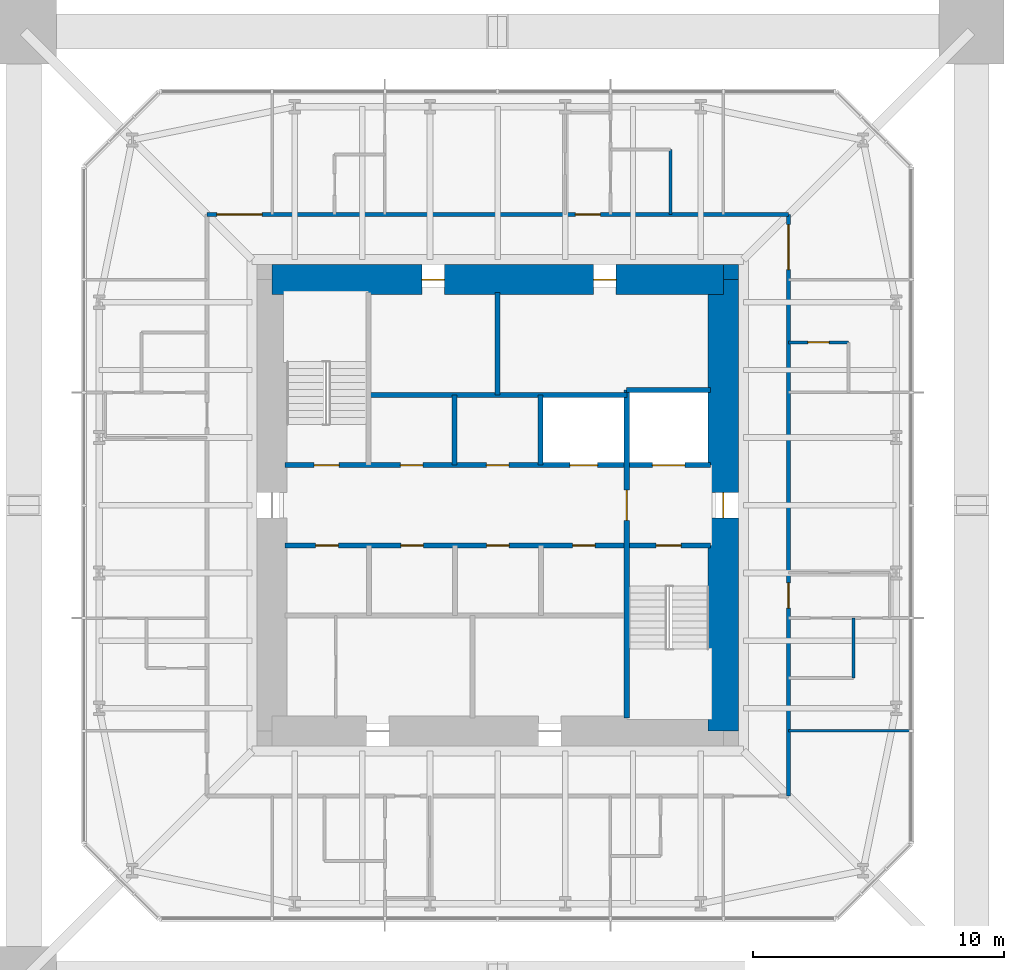
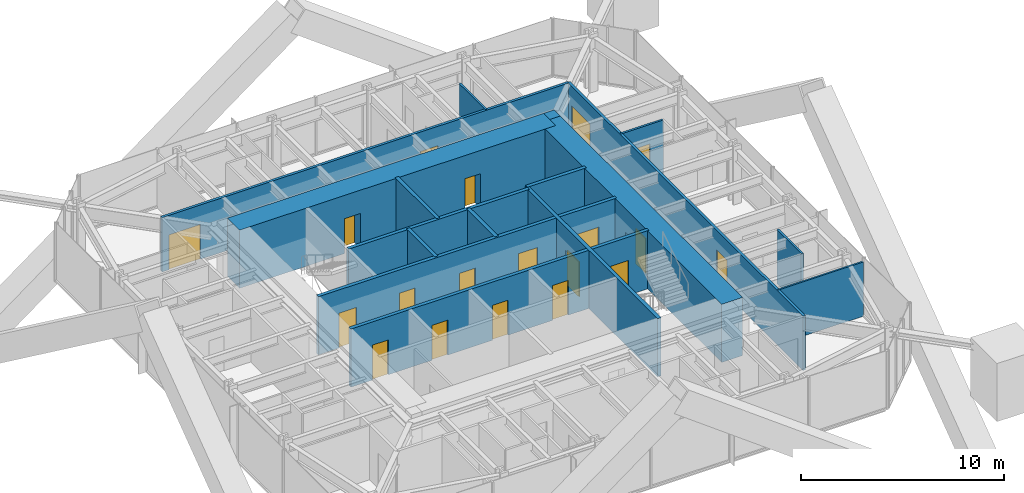
# One storey, part 8 of 10: 19 doors, 17 walls, 19 openings.
"""IFC4 building model written with IfcOpenShell, lengths in metres."""

from ifc_helpers import new_model, si_unit, direction, frame, frame_2d, origin, place, context, subcontext, project, spatial, rectangle, extrude, material, layer, layer_set, type_object, element, fill, save


model = new_model("IFC4")

# Units and contexts
model_context = context("Model", 3, precision=1e-05, world=origin(), true_north=direction((0.0, 1.0)))
body_context = subcontext(model_context, "Body", "Model", "MODEL_VIEW")
ifc_project = project(units=[si_unit("LENGTHUNIT", "METRE"), si_unit("AREAUNIT", "SQUARE_METRE"), si_unit("VOLUMEUNIT", "CUBIC_METRE"), si_unit("PLANEANGLEUNIT", "RADIAN"), si_unit("MASSUNIT", "GRAM", prefix="KILO")], contexts=[model_context])

# Site, building, storey
site_placement = place(None, origin())
site = spatial("IfcSite", under=ifc_project, at=site_placement, CompositionType="ELEMENT")
building_placement = place(site_placement, origin())
building = spatial("IfcBuilding", under=site, at=building_placement, Name="Iwan Alto Co-Living Towers", CompositionType="ELEMENT")
storey_placement = place(building_placement, frame((0.0, 0.0, 246.5)))
storey = spatial("IfcBuildingStorey", under=building, at=storey_placement, Name="L67", CompositionType="ELEMENT", Elevation=246.5)

# Wall, openings, doors
ifc_material_1 = material(Name="Gypsum board")
ifc_layer_1 = layer(ifc_material_1, 0.02490234375, Name="Board", Category="Finish")
ifc_material_2 = material(Name="Steel ASTM A1003 ST33H cold-formed studs", Category="steel")
ifc_layer_2 = layer(ifc_material_2, 0.10009765625, Name="Studs", Category="Framing")
ifc_layer_3 = layer(ifc_material_1, 0.02490234375, Name="Board", Category="Finish")
ifc_layer_set_1 = layer_set([ifc_layer_1, ifc_layer_2, ifc_layer_3], Name="CORRIDOR WALL 150")
wall_type_1 = type_object("IfcWallType", Name="CORRIDOR WALL 150", PredefinedType="PARTITIONING", material=ifc_layer_set_1)
wall_1_placement = place(storey_placement, frame((-11.60009765625, 11.60009765625, 0.0), z_axis=(0.0, 0.0, 1.0), x_axis=(1.0, 0.0, 0.0)))
wall_1 = element("IfcWall", 1, at=wall_1_placement, inside=storey, type_object=wall_type_1, Name="Partition L67", PredefinedType="PARTITIONING", context=body_context, shape_type="SweptSolid", body=[
    extrude(rectangle(XDim=23.2001953125, YDim=0.14990234375, at=frame_2d((11.60009765625, 0.0))), origin(), (0.0, 0.0, 1.0), 3.27001953125),
])
opening_1_placement = place(wall_1_placement, frame((14.699951171875, 0.0, 0.0)))
opening_1 = element("IfcOpeningElement", 2, at=opening_1_placement, cuts=wall_1, Name="Opening D3", PredefinedType="OPENING", context=body_context, shape_type="SweptSolid", body=[
    extrude(rectangle(XDim=1.0, YDim=2.10009765625, at=frame_2d((0.5, 1.050048828125))), frame((0.0, 0.0849609375, 0.0), z_axis=(0.0, -1.0, 0.0), x_axis=(1.0, 0.0, 0.0)), (0.0, 0.0, 1.0), 0.169921875),
])
opening_2_placement = place(wall_1_placement, frame((0.39990234375, 0.0, 0.0)))
opening_2 = element("IfcOpeningElement", 3, at=opening_2_placement, cuts=wall_1, Name="Opening D9", PredefinedType="OPENING", context=body_context, shape_type="SweptSolid", body=[
    extrude(rectangle(XDim=1.800048828125, YDim=2.10009765625, at=frame_2d((0.89990234375, 1.050048828125))), frame((0.0, 0.0849609375, 0.0), z_axis=(0.0, -1.0, 0.0), x_axis=(1.0, 0.0, 0.0)), (0.0, 0.0, 1.0), 0.169921875),
])
ifc_material_3 = material(Name="Steel frame with timber leaf", Category="steel")
door_type_1 = type_object("IfcDoorType", Name="FLAT ENTRANCE DOOR FD30S 1000X2100", OperationType="SINGLE_SWING_LEFT", PredefinedType="DOOR", material=ifc_material_3)
door_1_placement = place(opening_1_placement, origin())
door_1 = element("IfcDoor", 4, at=door_1_placement, inside=storey, type_object=door_type_1, Name="Apartment foyer door L67", OperationType="SINGLE_SWING_LEFT", OverallHeight=2.10009765625, OverallWidth=1.0, PredefinedType="DOOR", context=body_context, shape_type="SweptSolid", body=[
    extrude(rectangle(XDim=1.0, YDim=2.10009765625, at=frame_2d((0.5, 1.050048828125))), frame((0.0, 0.02490234375, 0.0), z_axis=(0.0, -1.0, 0.0), x_axis=(1.0, 0.0, 0.0)), (0.0, 0.0, 1.0), 0.050048828125),
])
fill(opening_1, door_1)
ifc_material_4 = material(Name="Steel frame with timber leaf", Category="steel")
door_type_2 = type_object("IfcDoorType", Name="LOUNGE DOOR FD30S 1800X2100", OperationType="DOUBLE_DOOR_SINGLE_SWING", PredefinedType="DOOR", material=ifc_material_4)
door_2_placement = place(opening_2_placement, origin())
door_2 = element("IfcDoor", 5, at=door_2_placement, inside=storey, type_object=door_type_2, Name="Courtyard lounge door L67", OperationType="DOUBLE_DOOR_SINGLE_SWING", OverallHeight=2.10009765625, OverallWidth=1.800048828125, PredefinedType="DOOR", context=body_context, shape_type="SweptSolid", body=[
    extrude(rectangle(XDim=1.800048828125, YDim=2.10009765625, at=frame_2d((0.89990234375, 1.050048828125))), frame((0.0, 0.02490234375, 0.0), z_axis=(0.0, -1.0, 0.0), x_axis=(1.0, 0.0, 0.0)), (0.0, 0.0, 1.0), 0.050048828125),
])
fill(opening_2, door_2)

wall_2_placement = place(storey_placement, frame((11.60009765625, -11.60009765625, 0.0), z_axis=(0.0, 0.0, 1.0), x_axis=(0.0, 1.0, 0.0)))
wall_2 = element("IfcWall", 6, at=wall_2_placement, inside=storey, type_object=wall_type_1, Name="Partition L67", PredefinedType="PARTITIONING", context=body_context, shape_type="SweptSolid", body=[
    extrude(rectangle(XDim=23.2001953125, YDim=0.14990234375, at=frame_2d((11.60009765625, 0.0))), origin(), (0.0, 0.0, 1.0), 3.27001953125),
])
opening_3_placement = place(wall_2_placement, frame((7.5, 0.0, 0.0)))
opening_3 = element("IfcOpeningElement", 7, at=opening_3_placement, cuts=wall_2, Name="Opening D3", PredefinedType="OPENING", context=body_context, shape_type="SweptSolid", body=[
    extrude(rectangle(XDim=1.0, YDim=2.10009765625, at=frame_2d((0.5, 1.050048828125))), frame((0.0, 0.0849609375, 0.0), z_axis=(0.0, -1.0, 0.0), x_axis=(1.0, 0.0, 0.0)), (0.0, 0.0, 1.0), 0.169921875),
])
opening_4_placement = place(wall_2_placement, frame((21.0, 0.0, 0.0)))
opening_4 = element("IfcOpeningElement", 8, at=opening_4_placement, cuts=wall_2, Name="Opening D9", PredefinedType="OPENING", context=body_context, shape_type="SweptSolid", body=[
    extrude(rectangle(XDim=1.800048828125, YDim=2.10009765625, at=frame_2d((0.89990234375, 1.050048828125))), frame((0.0, 0.0849609375, 0.0), z_axis=(0.0, -1.0, 0.0), x_axis=(1.0, 0.0, 0.0)), (0.0, 0.0, 1.0), 0.169921875),
])
door_3_placement = place(opening_3_placement, frame((1.0, 0.0, 0.0), z_axis=(0.0, 0.0, 1.0), x_axis=(-1.0, 0.0, 0.0)))
door_3 = element("IfcDoor", 9, at=door_3_placement, inside=storey, type_object=door_type_1, Name="Apartment foyer door L67", OperationType="SINGLE_SWING_RIGHT", OverallHeight=2.10009765625, OverallWidth=1.0, PredefinedType="DOOR", context=body_context, shape_type="SweptSolid", body=[
    extrude(rectangle(XDim=1.0, YDim=2.10009765625, at=frame_2d((0.5, 1.050048828125))), frame((0.0, 0.02490234375, 0.0), z_axis=(0.0, -1.0, 0.0), x_axis=(1.0, 0.0, 0.0)), (0.0, 0.0, 1.0), 0.050048828125),
])
fill(opening_3, door_3)
door_4_placement = place(opening_4_placement, frame((1.800048828125, 0.0, 0.0), z_axis=(0.0, 0.0, 1.0), x_axis=(-1.0, 0.0, 0.0)))
door_4 = element("IfcDoor", 10, at=door_4_placement, inside=storey, type_object=door_type_2, Name="Study lounge door L67", OperationType="DOUBLE_DOOR_SINGLE_SWING", OverallHeight=2.10009765625, OverallWidth=1.800048828125, PredefinedType="DOOR", context=body_context, shape_type="SweptSolid", body=[
    extrude(rectangle(XDim=1.800048828125, YDim=2.10009765625, at=frame_2d((0.89990234375, 1.050048828125))), frame((0.0, 0.02490234375, 0.0), z_axis=(0.0, -1.0, 0.0), x_axis=(1.0, 0.0, 0.0)), (0.0, 0.0, 1.0), 0.050048828125),
])
fill(opening_4, door_4)

# Wall
ifc_layer_4 = layer(ifc_material_1, 0.012451171875, Name="Board", Category="Finish")
ifc_layer_5 = layer(ifc_material_2, 0.074951171875, Name="Studs", Category="Framing")
ifc_layer_6 = layer(ifc_material_1, 0.012451171875, Name="Board", Category="Finish")
ifc_layer_set_2 = layer_set([ifc_layer_4, ifc_layer_5, ifc_layer_6], Name="PARTITION 100")
wall_type_2 = type_object("IfcWallType", Name="PARTITION 100", PredefinedType="PARTITIONING", material=ifc_layer_set_2)
wall_3_placement = place(storey_placement, frame((11.60009765625, -9.0, 0.0), z_axis=(0.0, 0.0, 1.0), x_axis=(1.0, 0.0, 0.0)))
element("IfcWall", 11, at=wall_3_placement, inside=storey, type_object=wall_type_2, Name="Partition L67", PredefinedType="PARTITIONING", context=body_context, shape_type="SweptSolid", body=[
    extrude(rectangle(XDim=4.83984375, YDim=0.10009765625, at=frame_2d((2.419921875, 0.0))), origin(), (0.0, 0.0, 1.0), 3.27001953125),
])

# Wall, openings, doors
ifc_material_5 = material(Name="Concrete f'c 70 MPa", Category="concrete")
ifc_layer_7 = layer(ifc_material_5, 0.199951171875)
ifc_layer_set_3 = layer_set([ifc_layer_7], Name="SHAFT WALL 200")
wall_type_3 = type_object("IfcWallType", Name="SHAFT WALL 200", PredefinedType="SOLIDWALL", material=ifc_layer_set_3)
wall_4_placement = place(storey_placement, frame((-8.489990234375, -1.60009765625, 0.0), z_axis=(0.0, 0.0, 1.0), x_axis=(1.0, 0.0, 0.0)))
wall_4 = element("IfcWall", 12, at=wall_4_placement, inside=storey, type_object=wall_type_3, Name="Shaft wall L67", PredefinedType="SOLIDWALL", context=body_context, shape_type="SweptSolid", body=[
    extrude(rectangle(XDim=16.97998046875, YDim=0.199951171875, at=frame_2d((8.489990234375, 0.0))), origin(), (0.0, 0.0, 1.0), 3.5),
])
opening_5_placement = place(wall_4_placement, frame((14.81005859375, 0.0, 0.0)))
opening_5 = element("IfcOpeningElement", 13, at=opening_5_placement, cuts=wall_4, Name="Opening D5", PredefinedType="OPENING", context=body_context, shape_type="SweptSolid", body=[
    extrude(rectangle(XDim=1.0, YDim=2.10009765625, at=frame_2d((0.5, 1.050048828125))), frame((0.0, 0.10986328125, 0.0), z_axis=(0.0, -1.0, 0.0), x_axis=(1.0, 0.0, 0.0)), (0.0, 0.0, 1.0), 0.219970703125),
])
opening_6_placement = place(wall_4_placement, frame((1.23193359375, 0.0, 0.0)))
opening_6 = element("IfcOpeningElement", 14, at=opening_6_placement, cuts=wall_4, Name="Opening D15", PredefinedType="OPENING", context=body_context, shape_type="SweptSolid", body=[
    extrude(rectangle(XDim=0.89990234375, YDim=2.10009765625, at=frame_2d((0.449951171875, 1.050048828125))), frame((0.0, 0.10986328125, 0.0), z_axis=(0.0, -1.0, 0.0), x_axis=(1.0, 0.0, 0.0)), (0.0, 0.0, 1.0), 0.219970703125),
])
opening_7_placement = place(wall_4_placement, frame((4.626953125, 0.0, 0.0)))
opening_7 = element("IfcOpeningElement", 15, at=opening_7_placement, cuts=wall_4, Name="Opening D15", PredefinedType="OPENING", context=body_context, shape_type="SweptSolid", body=[
    extrude(rectangle(XDim=0.89990234375, YDim=2.10009765625, at=frame_2d((0.449951171875, 1.050048828125))), frame((0.0, 0.10986328125, 0.0), z_axis=(0.0, -1.0, 0.0), x_axis=(1.0, 0.0, 0.0)), (0.0, 0.0, 1.0), 0.219970703125),
])
opening_8_placement = place(wall_4_placement, frame((8.052001953125, 0.0, 0.0)))
opening_8 = element("IfcOpeningElement", 16, at=opening_8_placement, cuts=wall_4, Name="Opening D15", PredefinedType="OPENING", context=body_context, shape_type="SweptSolid", body=[
    extrude(rectangle(XDim=0.89990234375, YDim=2.10009765625, at=frame_2d((0.449951171875, 1.050048828125))), frame((0.0, 0.10986328125, 0.0), z_axis=(0.0, -1.0, 0.0), x_axis=(1.0, 0.0, 0.0)), (0.0, 0.0, 1.0), 0.219970703125),
])
opening_9_placement = place(wall_4_placement, frame((11.47802734375, 0.0, 0.0)))
opening_9 = element("IfcOpeningElement", 17, at=opening_9_placement, cuts=wall_4, Name="Opening D15", PredefinedType="OPENING", context=body_context, shape_type="SweptSolid", body=[
    extrude(rectangle(XDim=0.89990234375, YDim=2.10009765625, at=frame_2d((0.449951171875, 1.050048828125))), frame((0.0, 0.10986328125, 0.0), z_axis=(0.0, -1.0, 0.0), x_axis=(1.0, 0.0, 0.0)), (0.0, 0.0, 1.0), 0.219970703125),
])
ifc_material_6 = material(Name="Steel frame with timber leaf", Category="steel")
door_type_3 = type_object("IfcDoorType", Name="CORE ROOM DOOR FD60S 900X2100", OperationType="SINGLE_SWING_LEFT", PredefinedType="DOOR", material=ifc_material_6)
door_5_placement = place(opening_6_placement, frame((0.89990234375, 0.0, 0.0), z_axis=(0.0, 0.0, 1.0), x_axis=(-1.0, 0.0, 0.0)))
door_5 = element("IfcDoor", 18, at=door_5_placement, inside=storey, type_object=door_type_3, Name="Housekeeping store door L67", OperationType="SINGLE_SWING_LEFT", OverallHeight=2.10009765625, OverallWidth=0.89990234375, PredefinedType="DOOR", context=body_context, shape_type="SweptSolid", body=[
    extrude(rectangle(XDim=0.89990234375, YDim=2.10009765625, at=frame_2d((0.449951171875, 1.050048828125))), frame((0.0, 0.02490234375, 0.0), z_axis=(0.0, -1.0, 0.0), x_axis=(1.0, 0.0, 0.0)), (0.0, 0.0, 1.0), 0.050048828125),
])
fill(opening_6, door_5)
door_6_placement = place(opening_7_placement, frame((0.89990234375, 0.0, 0.0), z_axis=(0.0, 0.0, 1.0), x_axis=(-1.0, 0.0, 0.0)))
door_6 = element("IfcDoor", 19, at=door_6_placement, inside=storey, type_object=door_type_3, Name="Linen store door L67", OperationType="SINGLE_SWING_RIGHT", OverallHeight=2.10009765625, OverallWidth=0.89990234375, PredefinedType="DOOR", context=body_context, shape_type="SweptSolid", body=[
    extrude(rectangle(XDim=0.89990234375, YDim=2.10009765625, at=frame_2d((0.449951171875, 1.050048828125))), frame((0.0, 0.02490234375, 0.0), z_axis=(0.0, -1.0, 0.0), x_axis=(1.0, 0.0, 0.0)), (0.0, 0.0, 1.0), 0.050048828125),
])
fill(opening_7, door_6)
door_7_placement = place(opening_8_placement, frame((0.89990234375, 0.0, 0.0), z_axis=(0.0, 0.0, 1.0), x_axis=(-1.0, 0.0, 0.0)))
door_7 = element("IfcDoor", 20, at=door_7_placement, inside=storey, type_object=door_type_3, Name="Linen and housekeeping store door L67", OperationType="SINGLE_SWING_RIGHT", OverallHeight=2.10009765625, OverallWidth=0.89990234375, PredefinedType="DOOR", context=body_context, shape_type="SweptSolid", body=[
    extrude(rectangle(XDim=0.89990234375, YDim=2.10009765625, at=frame_2d((0.449951171875, 1.050048828125))), frame((0.0, 0.02490234375, 0.0), z_axis=(0.0, -1.0, 0.0), x_axis=(1.0, 0.0, 0.0)), (0.0, 0.0, 1.0), 0.050048828125),
])
fill(opening_8, door_7)
door_8_placement = place(opening_9_placement, frame((0.89990234375, 0.0, 0.0), z_axis=(0.0, 0.0, 1.0), x_axis=(-1.0, 0.0, 0.0)))
door_8 = element("IfcDoor", 21, at=door_8_placement, inside=storey, type_object=door_type_3, Name="Staff WC door L67", OperationType="SINGLE_SWING_RIGHT", OverallHeight=2.10009765625, OverallWidth=0.89990234375, PredefinedType="DOOR", context=body_context, shape_type="SweptSolid", body=[
    extrude(rectangle(XDim=0.89990234375, YDim=2.10009765625, at=frame_2d((0.449951171875, 1.050048828125))), frame((0.0, 0.02490234375, 0.0), z_axis=(0.0, -1.0, 0.0), x_axis=(1.0, 0.0, 0.0)), (0.0, 0.0, 1.0), 0.050048828125),
])
fill(opening_9, door_8)
ifc_material_7 = material(Name="Steel frame with timber leaf", Category="steel")
door_type_4 = type_object("IfcDoorType", Name="STAIR DOOR FD120S 1000X2100", OperationType="SINGLE_SWING_LEFT", PredefinedType="DOOR", material=ifc_material_7)
door_9_placement = place(opening_5_placement, frame((1.0, 0.0, 0.0), z_axis=(0.0, 0.0, 1.0), x_axis=(-1.0, 0.0, 0.0)))
door_9 = element("IfcDoor", 22, at=door_9_placement, inside=storey, type_object=door_type_4, Name="Stair S2 door L67", OperationType="SINGLE_SWING_RIGHT", OverallHeight=2.10009765625, OverallWidth=1.0, PredefinedType="DOOR", context=body_context, shape_type="SweptSolid", body=[
    extrude(rectangle(XDim=1.0, YDim=2.10009765625, at=frame_2d((0.5, 1.050048828125))), frame((0.0, 0.02490234375, 0.0), z_axis=(0.0, -1.0, 0.0), x_axis=(1.0, 0.0, 0.0)), (0.0, 0.0, 1.0), 0.050048828125),
])
fill(opening_5, door_9)

wall_5_placement = place(storey_placement, frame((-8.489990234375, 1.60009765625, 0.0), z_axis=(0.0, 0.0, 1.0), x_axis=(1.0, 0.0, 0.0)))
wall_5 = element("IfcWall", 23, at=wall_5_placement, inside=storey, type_object=wall_type_3, Name="Shaft wall L67", PredefinedType="SOLIDWALL", context=body_context, shape_type="SweptSolid", body=[
    extrude(rectangle(XDim=16.97998046875, YDim=0.199951171875, at=frame_2d((8.489990234375, 0.0))), origin(), (0.0, 0.0, 1.0), 3.5),
])
opening_10_placement = place(wall_5_placement, frame((1.169921875, 0.0, 0.0)))
opening_10 = element("IfcOpeningElement", 24, at=opening_10_placement, cuts=wall_5, Name="Opening D5", PredefinedType="OPENING", context=body_context, shape_type="SweptSolid", body=[
    extrude(rectangle(XDim=1.0, YDim=2.10009765625, at=frame_2d((0.5, 1.050048828125))), frame((0.0, 0.10986328125, 0.0), z_axis=(0.0, -1.0, 0.0), x_axis=(1.0, 0.0, 0.0)), (0.0, 0.0, 1.0), 0.219970703125),
])
opening_11_placement = place(wall_5_placement, frame((4.60595703125, 0.0, 0.0)))
opening_11 = element("IfcOpeningElement", 25, at=opening_11_placement, cuts=wall_5, Name="Opening D15", PredefinedType="OPENING", context=body_context, shape_type="SweptSolid", body=[
    extrude(rectangle(XDim=0.89990234375, YDim=2.10009765625, at=frame_2d((0.449951171875, 1.050048828125))), frame((0.0, 0.10986328125, 0.0), z_axis=(0.0, -1.0, 0.0), x_axis=(1.0, 0.0, 0.0)), (0.0, 0.0, 1.0), 0.219970703125),
])
opening_12_placement = place(wall_5_placement, frame((8.0400390625, 0.0, 0.0)))
opening_12 = element("IfcOpeningElement", 26, at=opening_12_placement, cuts=wall_5, Name="Opening D15", PredefinedType="OPENING", context=body_context, shape_type="SweptSolid", body=[
    extrude(rectangle(XDim=0.89990234375, YDim=2.10009765625, at=frame_2d((0.449951171875, 1.050048828125))), frame((0.0, 0.10986328125, 0.0), z_axis=(0.0, -1.0, 0.0), x_axis=(1.0, 0.0, 0.0)), (0.0, 0.0, 1.0), 0.219970703125),
])
opening_13_placement = place(wall_5_placement, frame((11.3740234375, 0.0, 0.0)))
opening_13 = element("IfcOpeningElement", 27, at=opening_13_placement, cuts=wall_5, Name="Opening LD", PredefinedType="OPENING", context=body_context, shape_type="SweptSolid", body=[
    extrude(rectangle(XDim=1.10009765625, YDim=2.10009765625, at=frame_2d((0.550048828125, 1.050048828125))), frame((0.0, 0.10986328125, 0.0), z_axis=(0.0, -1.0, 0.0), x_axis=(1.0, 0.0, 0.0)), (0.0, 0.0, 1.0), 0.219970703125),
])
opening_14_placement = place(wall_5_placement, frame((14.659912109375, 0.0, 0.0)))
opening_14 = element("IfcOpeningElement", 28, at=opening_14_placement, cuts=wall_5, Name="Opening LD2", PredefinedType="OPENING", context=body_context, shape_type="SweptSolid", body=[
    extrude(rectangle(XDim=1.300048828125, YDim=2.10009765625, at=frame_2d((0.64990234375, 1.050048828125))), frame((0.0, 0.10986328125, 0.0), z_axis=(0.0, -1.0, 0.0), x_axis=(1.0, 0.0, 0.0)), (0.0, 0.0, 1.0), 0.219970703125),
])
door_10_placement = place(opening_11_placement, origin())
door_10 = element("IfcDoor", 29, at=door_10_placement, inside=storey, type_object=door_type_3, Name="Linen store door L67", OperationType="SINGLE_SWING_LEFT", OverallHeight=2.10009765625, OverallWidth=0.89990234375, PredefinedType="DOOR", context=body_context, shape_type="SweptSolid", body=[
    extrude(rectangle(XDim=0.89990234375, YDim=2.10009765625, at=frame_2d((0.449951171875, 1.050048828125))), frame((0.0, 0.02490234375, 0.0), z_axis=(0.0, -1.0, 0.0), x_axis=(1.0, 0.0, 0.0)), (0.0, 0.0, 1.0), 0.050048828125),
])
fill(opening_11, door_10)
door_11_placement = place(opening_12_placement, origin())
door_11 = element("IfcDoor", 30, at=door_11_placement, inside=storey, type_object=door_type_3, Name="Staff WC door L67", OperationType="SINGLE_SWING_LEFT", OverallHeight=2.10009765625, OverallWidth=0.89990234375, PredefinedType="DOOR", context=body_context, shape_type="SweptSolid", body=[
    extrude(rectangle(XDim=0.89990234375, YDim=2.10009765625, at=frame_2d((0.449951171875, 1.050048828125))), frame((0.0, 0.02490234375, 0.0), z_axis=(0.0, -1.0, 0.0), x_axis=(1.0, 0.0, 0.0)), (0.0, 0.0, 1.0), 0.050048828125),
])
fill(opening_12, door_11)
ifc_material_8 = material(Name="Steel frame with timber leaf", Category="steel")
door_type_5 = type_object("IfcDoorType", Name="LIFT LANDING DOOR 1100X2100", OperationType="DOUBLE_DOOR_SLIDING", PredefinedType="DOOR", material=ifc_material_8)
door_12_placement = place(opening_13_placement, origin())
door_12 = element("IfcDoor", 31, at=door_12_placement, inside=storey, type_object=door_type_5, Name="Lift P4-3 landing door L67", OperationType="DOUBLE_DOOR_SLIDING", OverallHeight=2.10009765625, OverallWidth=1.10009765625, PredefinedType="DOOR", context=body_context, shape_type="SweptSolid", body=[
    extrude(rectangle(XDim=1.10009765625, YDim=2.10009765625, at=frame_2d((0.550048828125, 1.050048828125))), frame((0.0, 0.02490234375, 0.0), z_axis=(0.0, -1.0, 0.0), x_axis=(1.0, 0.0, 0.0)), (0.0, 0.0, 1.0), 0.050048828125),
])
fill(opening_13, door_12)
ifc_material_9 = material(Name="Steel frame with timber leaf", Category="steel")
door_type_6 = type_object("IfcDoorType", Name="LIFT LANDING DOOR 1300X2100", OperationType="SLIDING_TO_LEFT", PredefinedType="DOOR", material=ifc_material_9)
door_13_placement = place(opening_14_placement, origin())
door_13 = element("IfcDoor", 32, at=door_13_placement, inside=storey, type_object=door_type_6, Name="Lift FL1 landing door L67", OperationType="SLIDING_TO_LEFT", OverallHeight=2.10009765625, OverallWidth=1.300048828125, PredefinedType="DOOR", context=body_context, shape_type="SweptSolid", body=[
    extrude(rectangle(XDim=1.300048828125, YDim=2.10009765625, at=frame_2d((0.64990234375, 1.050048828125))), frame((0.0, 0.02490234375, 0.0), z_axis=(0.0, -1.0, 0.0), x_axis=(1.0, 0.0, 0.0)), (0.0, 0.0, 1.0), 0.050048828125),
])
fill(opening_14, door_13)
door_14_placement = place(opening_10_placement, origin())
door_14 = element("IfcDoor", 33, at=door_14_placement, inside=storey, type_object=door_type_4, Name="Stair S1 door L67", OperationType="SINGLE_SWING_RIGHT", OverallHeight=2.10009765625, OverallWidth=1.0, PredefinedType="DOOR", context=body_context, shape_type="SweptSolid", body=[
    extrude(rectangle(XDim=1.0, YDim=2.10009765625, at=frame_2d((0.5, 1.050048828125))), frame((0.0, 0.02490234375, 0.0), z_axis=(0.0, -1.0, 0.0), x_axis=(1.0, 0.0, 0.0)), (0.0, 0.0, 1.0), 0.050048828125),
])
fill(opening_10, door_14)

# Walls
wall_6_placement = place(storey_placement, frame((-5.14990234375, 4.39990234375, 0.0), z_axis=(0.0, 0.0, 1.0), x_axis=(1.0, 0.0, 0.0)))
element("IfcWall", 34, at=wall_6_placement, inside=storey, type_object=wall_type_3, Name="Shaft wall L67", PredefinedType="SOLIDWALL", context=body_context, shape_type="SweptSolid", body=[
    extrude(rectangle(XDim=10.2998046875, YDim=0.199951171875, at=frame_2d((5.14990234375, 0.0))), origin(), (0.0, 0.0, 1.0), 3.5),
])
wall_7_placement = place(storey_placement, frame((5.14990234375, 4.60009765625, 0.0), z_axis=(0.0, 0.0, 1.0), x_axis=(1.0, 0.0, 0.0)))
element("IfcWall", 35, at=wall_7_placement, inside=storey, type_object=wall_type_3, Name="Shaft wall L67", PredefinedType="SOLIDWALL", context=body_context, shape_type="SweptSolid", body=[
    extrude(rectangle(XDim=3.340087890625, YDim=0.199951171875, at=frame_2d((1.669921875, 0.0))), origin(), (0.0, 0.0, 1.0), 3.5),
])

# Wall, opening, door
wall_8_placement = place(storey_placement, frame((5.14990234375, -8.489990234375, 0.0), z_axis=(0.0, 0.0, 1.0), x_axis=(0.0, 1.0, 0.0)))
wall_8 = element("IfcWall", 36, at=wall_8_placement, inside=storey, type_object=wall_type_3, Name="Shaft wall L67", PredefinedType="SOLIDWALL", context=body_context, shape_type="SweptSolid", body=[
    extrude(rectangle(XDim=13.090087890625, YDim=0.199951171875, at=frame_2d((6.544921875, 0.0))), origin(), (0.0, 0.0, 1.0), 3.5),
])
opening_15_placement = place(wall_8_placement, frame((7.889892578125, 0.0, 0.0)))
opening_15 = element("IfcOpeningElement", 37, at=opening_15_placement, cuts=wall_8, Name="Opening D6", PredefinedType="OPENING", context=body_context, shape_type="SweptSolid", body=[
    extrude(rectangle(XDim=1.199951171875, YDim=2.10009765625, at=frame_2d((0.60009765625, 1.050048828125))), frame((0.0, 0.10986328125, 0.0), z_axis=(0.0, -1.0, 0.0), x_axis=(1.0, 0.0, 0.0)), (0.0, 0.0, 1.0), 0.219970703125),
])
ifc_material_10 = material(Name="Steel frame with timber leaf", Category="steel")
door_type_7 = type_object("IfcDoorType", Name="LOBBY DOOR FD120S 1200X2100", OperationType="SINGLE_SWING_LEFT", PredefinedType="DOOR", material=ifc_material_10)
door_15_placement = place(opening_15_placement, frame((1.199951171875, 0.0, 0.0), z_axis=(0.0, 0.0, 1.0), x_axis=(-1.0, 0.0, 0.0)))
door_15 = element("IfcDoor", 38, at=door_15_placement, inside=storey, type_object=door_type_7, Name="Firefighting lobby door L67", OperationType="SINGLE_SWING_RIGHT", OverallHeight=2.10009765625, OverallWidth=1.199951171875, PredefinedType="DOOR", context=body_context, shape_type="SweptSolid", body=[
    extrude(rectangle(XDim=1.199951171875, YDim=2.10009765625, at=frame_2d((0.60009765625, 1.050048828125))), frame((0.0, 0.02490234375, 0.0), z_axis=(0.0, -1.0, 0.0), x_axis=(1.0, 0.0, 0.0)), (0.0, 0.0, 1.0), 0.050048828125),
])
fill(opening_15, door_15)

# Walls
wall_9_placement = place(storey_placement, frame((1.717041015625, 1.60009765625, 0.0), z_axis=(0.0, 0.0, 1.0), x_axis=(0.0, 1.0, 0.0)))
element("IfcWall", 39, at=wall_9_placement, inside=storey, type_object=wall_type_3, Name="Shaft wall L67", PredefinedType="SOLIDWALL", context=body_context, shape_type="SweptSolid", body=[
    extrude(rectangle(XDim=2.7998046875, YDim=0.199951171875, at=frame_2d((1.39990234375, 0.0))), origin(), (0.0, 0.0, 1.0), 3.5),
])
wall_10_placement = place(storey_placement, frame((0.0, 4.39990234375, 0.0), z_axis=(0.0, 0.0, 1.0), x_axis=(0.0, 1.0, 0.0)))
element("IfcWall", 40, at=wall_10_placement, inside=storey, type_object=wall_type_3, Name="Shaft wall L67", PredefinedType="SOLIDWALL", context=body_context, shape_type="SweptSolid", body=[
    extrude(rectangle(XDim=4.090087890625, YDim=0.199951171875, at=frame_2d((2.044921875, 0.0))), origin(), (0.0, 0.0, 1.0), 3.5),
])
wall_11_placement = place(storey_placement, frame((-1.717041015625, 1.60009765625, 0.0), z_axis=(0.0, 0.0, 1.0), x_axis=(0.0, 1.0, 0.0)))
element("IfcWall", 41, at=wall_11_placement, inside=storey, type_object=wall_type_3, Name="Shaft wall L67", PredefinedType="SOLIDWALL", context=body_context, shape_type="SweptSolid", body=[
    extrude(rectangle(XDim=2.7998046875, YDim=0.199951171875, at=frame_2d((1.39990234375, 0.0))), origin(), (0.0, 0.0, 1.0), 3.5),
])
ifc_material_11 = material(Name="Concrete f'c 70 MPa", Category="concrete")
ifc_layer_8 = layer(ifc_material_11, 0.60009765625)
ifc_layer_set_4 = layer_set([ifc_layer_8], Name="T1 CORE CORNER FILL 600")
wall_type_4 = type_object("IfcWallType", Name="T1 CORE CORNER FILL 600", PredefinedType="SOLIDWALL", material=ifc_layer_set_4)
wall_12_placement = place(storey_placement, frame((9.0, 9.300048828125, 0.0), z_axis=(0.0, 0.0, 1.0), x_axis=(1.0, 0.0, 0.0)))
element("IfcWall", 42, at=wall_12_placement, inside=storey, type_object=wall_type_4, Name="T1 core corner NE L67", PredefinedType="SOLIDWALL", context=body_context, shape_type="SweptSolid", body=[
    extrude(rectangle(XDim=0.60009765625, YDim=0.60009765625, at=frame_2d((0.300048828125, 0.0))), origin(), (0.0, 0.0, 1.0), 3.5),
])

# Wall, openings, doors
ifc_material_12 = material(Name="Concrete f'c 70 MPa", Category="concrete")
ifc_layer_9 = layer(ifc_material_12, 1.199951171875)
ifc_layer_set_5 = layer_set([ifc_layer_9], Name="T1 CORE WALL 1200")
wall_type_5 = type_object("IfcWallType", Name="T1 CORE WALL 1200", PredefinedType="SHEAR", material=ifc_layer_set_5)
wall_13_placement = place(storey_placement, frame((9.0, 9.0, 0.0), z_axis=(0.0, 0.0, 1.0), x_axis=(-1.0, 0.0, 0.0)))
wall_13 = element("IfcWall", 43, at=wall_13_placement, inside=storey, type_object=wall_type_5, Name="T1 core wall N L67", PredefinedType="SHEAR", context=body_context, shape_type="SweptSolid", body=[
    extrude(rectangle(XDim=18.0, YDim=1.199951171875, at=frame_2d((9.0, 0.0))), origin(), (0.0, 0.0, 1.0), 3.5),
])
opening_16_placement = place(wall_13_placement, frame((11.125, 0.0, 0.0)))
opening_16 = element("IfcOpeningElement", 44, at=opening_16_placement, cuts=wall_13, Name="Opening D8", PredefinedType="OPENING", context=body_context, shape_type="SweptSolid", body=[
    extrude(rectangle(XDim=0.89990234375, YDim=2.10009765625, at=frame_2d((0.449951171875, 1.050048828125))), frame((0.0, 0.60986328125, 0.0), z_axis=(0.0, -1.0, 0.0), x_axis=(1.0, 0.0, 0.0)), (0.0, 0.0, 1.0), 1.219970703125),
])
opening_17_placement = place(wall_13_placement, frame((4.27490234375, 0.0, 0.0)))
opening_17 = element("IfcOpeningElement", 45, at=opening_17_placement, cuts=wall_13, Name="Opening D8", PredefinedType="OPENING", context=body_context, shape_type="SweptSolid", body=[
    extrude(rectangle(XDim=0.89990234375, YDim=2.10009765625, at=frame_2d((0.449951171875, 1.050048828125))), frame((0.0, 0.60986328125, 0.0), z_axis=(0.0, -1.0, 0.0), x_axis=(1.0, 0.0, 0.0)), (0.0, 0.0, 1.0), 1.219970703125),
])
ifc_material_13 = material(Name="Steel frame with timber leaf", Category="steel")
door_type_8 = type_object("IfcDoorType", Name="RISER DOOR FD120 900X2100", OperationType="SINGLE_SWING_LEFT", PredefinedType="DOOR", material=ifc_material_13)
door_16_placement = place(opening_16_placement, origin())
door_16 = element("IfcDoor", 46, at=door_16_placement, inside=storey, type_object=door_type_8, Name="Electrical riser core door L67", OperationType="SINGLE_SWING_RIGHT", OverallHeight=2.10009765625, OverallWidth=0.89990234375, PredefinedType="DOOR", context=body_context, shape_type="SweptSolid", body=[
    extrude(rectangle(XDim=0.89990234375, YDim=2.10009765625, at=frame_2d((0.449951171875, 1.050048828125))), frame((0.0, 0.02490234375, 0.0), z_axis=(0.0, -1.0, 0.0), x_axis=(1.0, 0.0, 0.0)), (0.0, 0.0, 1.0), 0.050048828125),
])
fill(opening_16, door_16)
door_17_placement = place(opening_17_placement, origin())
door_17 = element("IfcDoor", 47, at=door_17_placement, inside=storey, type_object=door_type_8, Name="Water and drainage riser core door L67", OperationType="SINGLE_SWING_RIGHT", OverallHeight=2.10009765625, OverallWidth=0.89990234375, PredefinedType="DOOR", context=body_context, shape_type="SweptSolid", body=[
    extrude(rectangle(XDim=0.89990234375, YDim=2.10009765625, at=frame_2d((0.449951171875, 1.050048828125))), frame((0.0, 0.02490234375, 0.0), z_axis=(0.0, -1.0, 0.0), x_axis=(1.0, 0.0, 0.0)), (0.0, 0.0, 1.0), 0.050048828125),
])
fill(opening_17, door_17)

# Wall, opening, door
wall_14_placement = place(storey_placement, frame((9.0, -9.0, 0.0), z_axis=(0.0, 0.0, 1.0), x_axis=(0.0, 1.0, 0.0)))
wall_14 = element("IfcWall", 48, at=wall_14_placement, inside=storey, type_object=wall_type_5, Name="T1 core wall E L67", PredefinedType="SHEAR", context=body_context, shape_type="SweptSolid", body=[
    extrude(rectangle(XDim=18.0, YDim=1.199951171875, at=frame_2d((9.0, 0.0))), origin(), (0.0, 0.0, 1.0), 3.5),
])
opening_18_placement = place(wall_14_placement, frame((8.5, 0.0, 0.0)))
opening_18 = element("IfcOpeningElement", 49, at=opening_18_placement, cuts=wall_14, Name="Opening D7", PredefinedType="OPENING", context=body_context, shape_type="SweptSolid", body=[
    extrude(rectangle(XDim=1.0, YDim=2.10009765625, at=frame_2d((0.5, 1.050048828125))), frame((0.0, 0.60986328125, 0.0), z_axis=(0.0, -1.0, 0.0), x_axis=(1.0, 0.0, 0.0)), (0.0, 0.0, 1.0), 1.219970703125),
])
ifc_material_14 = material(Name="Steel frame with timber leaf", Category="steel")
door_type_9 = type_object("IfcDoorType", Name="CORE DOOR FD120S 1000X2100", OperationType="SINGLE_SWING_LEFT", PredefinedType="DOOR", material=ifc_material_14)
door_18_placement = place(opening_18_placement, origin())
door_18 = element("IfcDoor", 50, at=door_18_placement, inside=storey, type_object=door_type_9, Name="Firefighting lobby core door L67", OperationType="SINGLE_SWING_LEFT", OverallHeight=2.10009765625, OverallWidth=1.0, PredefinedType="DOOR", context=body_context, shape_type="SweptSolid", body=[
    extrude(rectangle(XDim=1.0, YDim=2.10009765625, at=frame_2d((0.5, 1.050048828125))), frame((0.0, 0.02490234375, 0.0), z_axis=(0.0, -1.0, 0.0), x_axis=(1.0, 0.0, 0.0)), (0.0, 0.0, 1.0), 0.050048828125),
])
fill(opening_18, door_18)

ifc_material_15 = material(Name="Cement board")
ifc_layer_10 = layer(ifc_material_15, 0.012451171875, Name="Board", Category="Finish")
ifc_layer_11 = layer(ifc_material_2, 0.094970703125, Name="Studs", Category="Framing")
ifc_layer_12 = layer(ifc_material_15, 0.012451171875, Name="Board", Category="Finish")
ifc_layer_set_6 = layer_set([ifc_layer_10, ifc_layer_11, ifc_layer_12], Name="WET AREA PARTITION 120")
wall_type_6 = type_object("IfcWallType", Name="WET AREA PARTITION 120", PredefinedType="PARTITIONING", material=ifc_layer_set_6)
wall_15_placement = place(storey_placement, frame((11.60009765625, 6.5, 0.0), z_axis=(0.0, 0.0, 1.0), x_axis=(1.0, 0.0, 0.0)))
wall_15 = element("IfcWall", 51, at=wall_15_placement, inside=storey, type_object=wall_type_6, Name="Partition L67", PredefinedType="PARTITIONING", context=body_context, shape_type="SweptSolid", body=[
    extrude(rectangle(XDim=2.39990234375, YDim=0.1201171875, at=frame_2d((1.199951171875, 0.0))), origin(), (0.0, 0.0, 1.0), 3.27001953125),
])
opening_19_placement = place(wall_15_placement, frame((0.77490234375, 0.0, 0.0)))
opening_19 = element("IfcOpeningElement", 52, at=opening_19_placement, cuts=wall_15, Name="Opening D2", PredefinedType="OPENING", context=body_context, shape_type="SweptSolid", body=[
    extrude(rectangle(XDim=0.85009765625, YDim=2.10009765625, at=frame_2d((0.425048828125, 1.050048828125))), frame((0.0, 0.070068359375, 0.0), z_axis=(0.0, -1.0, 0.0), x_axis=(1.0, 0.0, 0.0)), (0.0, 0.0, 1.0), 0.14013671875),
])
ifc_material_16 = material(Name="Timber leaf in steel frame", Category="steel")
door_type_10 = type_object("IfcDoorType", Name="ROOM DOOR 850X2100", OperationType="SINGLE_SWING_LEFT", PredefinedType="DOOR", material=ifc_material_16)
door_19_placement = place(opening_19_placement, origin())
door_19 = element("IfcDoor", 53, at=door_19_placement, inside=storey, type_object=door_type_10, Name="En-suite shower room door L67", OperationType="SINGLE_SWING_LEFT", OverallHeight=2.10009765625, OverallWidth=0.85009765625, PredefinedType="DOOR", context=body_context, shape_type="SweptSolid", body=[
    extrude(rectangle(XDim=0.85009765625, YDim=2.10009765625, at=frame_2d((0.425048828125, 1.050048828125))), frame((0.0, 0.02490234375, 0.0), z_axis=(0.0, -1.0, 0.0), x_axis=(1.0, 0.0, 0.0)), (0.0, 0.0, 1.0), 0.050048828125),
])
fill(opening_19, door_19)

# Walls
wall_16_placement = place(storey_placement, frame((14.199951171875, -6.89990234375, 0.0), z_axis=(0.0, 0.0, 1.0), x_axis=(0.0, 1.0, 0.0)))
element("IfcWall", 54, at=wall_16_placement, inside=storey, type_object=wall_type_6, Name="Partition L67", PredefinedType="PARTITIONING", context=body_context, shape_type="SweptSolid", body=[
    extrude(rectangle(XDim=2.39990234375, YDim=0.1201171875, at=frame_2d((1.199951171875, 0.0))), origin(), (0.0, 0.0, 1.0), 3.27001953125),
])
wall_17_placement = place(storey_placement, frame((6.89990234375, 11.60009765625, 0.0), z_axis=(0.0, 0.0, 1.0), x_axis=(0.0, 1.0, 0.0)))
element("IfcWall", 55, at=wall_17_placement, inside=storey, type_object=wall_type_6, Name="Partition L67", PredefinedType="PARTITIONING", context=body_context, shape_type="SweptSolid", body=[
    extrude(rectangle(XDim=2.599853515625, YDim=0.1201171875, at=frame_2d((1.2998046875, 0.0))), origin(), (0.0, 0.0, 1.0), 3.27001953125),
])

save(model, "model.ifc")
